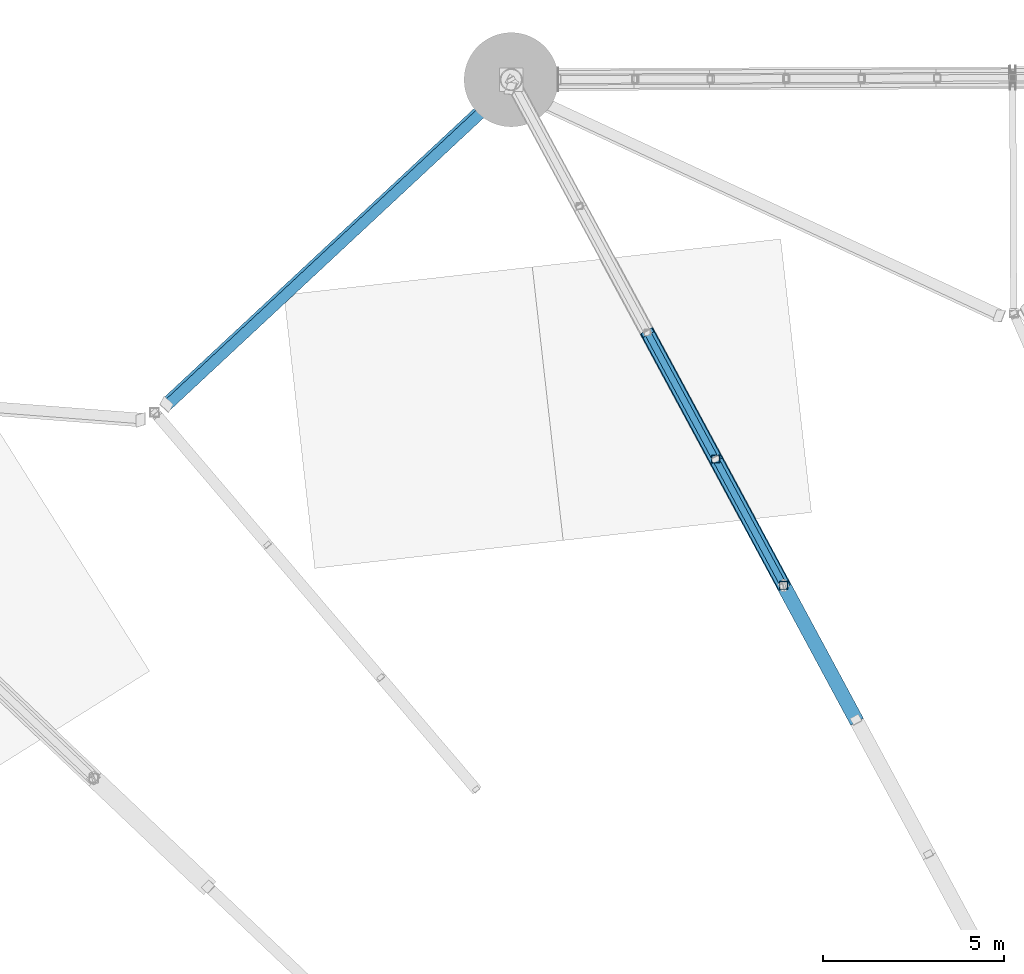
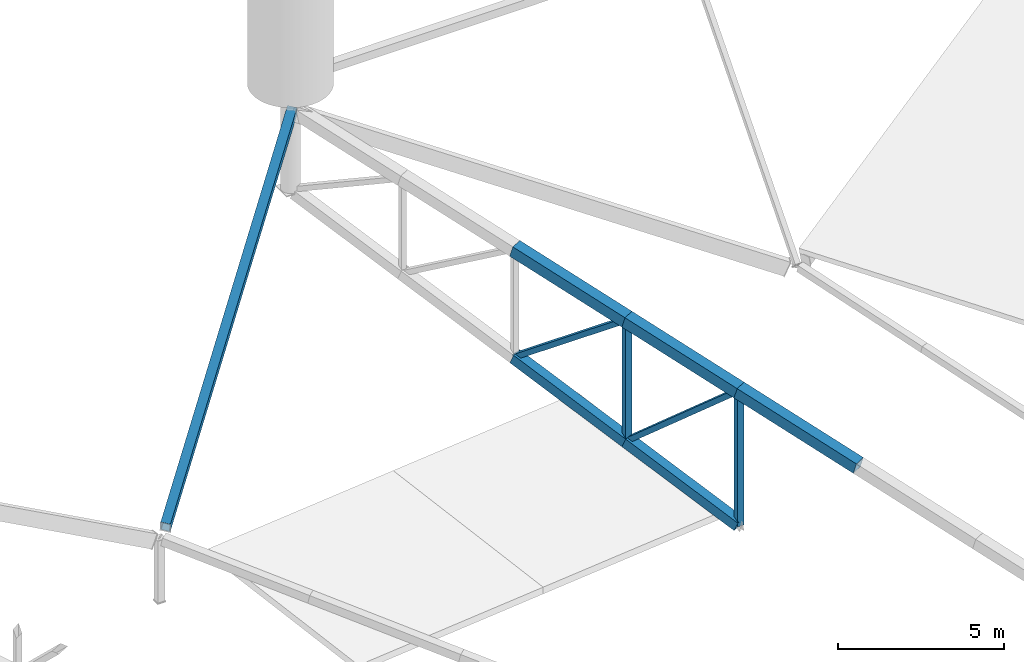
# One storey, part 77 of 188: 9 members, 1 beam.
"""IFC4 building model written with IfcOpenShell, lengths in metres."""

from ifc_helpers import new_model, si_unit, direction, frame, origin, origin_2d, place, context, subcontext, project, spatial, hollow_rectangle, extrude, material, material_profile, profile_set, type_object, element, save


model = new_model("IFC4")

# Units and contexts
model_context = context("Model", 3, precision=1e-05, world=origin(), true_north=direction((0.0, 1.0)))
body_context = subcontext(model_context, "Body", "Model", "MODEL_VIEW")
ifc_project = project(units=[si_unit("LENGTHUNIT", "METRE"), si_unit("AREAUNIT", "SQUARE_METRE"), si_unit("VOLUMEUNIT", "CUBIC_METRE"), si_unit("PLANEANGLEUNIT", "RADIAN"), si_unit("MASSUNIT", "GRAM", prefix="KILO")], contexts=[model_context])

# Site, building, storey
site_placement = place(None, origin())
site = spatial("IfcSite", under=ifc_project, at=site_placement, CompositionType="ELEMENT")
building_placement = place(site_placement, origin())
building = spatial("IfcBuilding", under=site, at=building_placement, Name="Meseta Stadium", CompositionType="ELEMENT")
storey_placement = place(building_placement, frame((0.0, 0.0, 30.0)))
storey = spatial("IfcBuildingStorey", under=building, at=storey_placement, Name="ROOF", CompositionType="ELEMENT", Elevation=30.0)

# Beam
ifc_material_1 = material(Name="Steel S355", Category="steel")
ifc_material_profile_1 = material_profile(ifc_material_1, hollow_rectangle(XDim=0.300048828125, YDim=0.5, WallThickness=0.01611328125, at=origin_2d()), Name="RHS 500x300x16")
ifc_profile_set_1 = profile_set([ifc_material_profile_1], Name="Steel S355")
beam_type = type_object("IfcBeamType", Name="RHS 500x300x16 rim ring beam", PredefinedType="BEAM", material=ifc_profile_set_1)
beam_placement = place(storey_placement, frame((-52.188720703125, 104.97216796875, 10.34375), z_axis=(-0.652982768827, -0.608563879479, -0.450847544308), x_axis=(0.722747706736, -0.678629325219, -0.130759287854)))
element("IfcBeam", 1, at=beam_placement, inside=storey, type_object=beam_type, Name="RIM RING BEAM 23", PredefinedType="BEAM", context=body_context, shape_type="SweptSolid", body=[
    extrude(hollow_rectangle(XDim=0.300048828125, YDim=0.5, WallThickness=0.01611328125, at=origin_2d()), origin(), (0.0, 0.0, 1.0), 14.5927734375),
])

# Members
ifc_material_2 = material(Name="Steel S355", Category="steel")
ifc_material_profile_2 = material_profile(ifc_material_2, hollow_rectangle(XDim=0.179931640625, YDim=0.179931640625, WallThickness=0.00634765625, at=origin_2d()), Name="SHS 180x180x6.3")
ifc_profile_set_2 = profile_set([ifc_material_profile_2], Name="Steel S355")
member_type_1 = type_object("IfcMemberType", Name="SHS 180x180x6.3 diagonal", PredefinedType="BRACE", material=ifc_profile_set_2)
member_1_placement = place(storey_placement, frame((-44.6826171875, 91.0908203125, 5.85986328125), z_axis=(-0.364595908123, 0.676917286042, -0.639415992635), x_axis=(-0.880415724134, -0.4742026494, 0.0)))
element("IfcMember", 2, at=member_1_placement, inside=storey, type_object=member_type_1, Name="ROOF TRUSS RT-22 diagonal", PredefinedType="BRACE", context=body_context, shape_type="SweptSolid", body=[
    extrude(hollow_rectangle(XDim=0.179931640625, YDim=0.179931640625, WallThickness=0.00634765625, at=origin_2d()), origin(), (0.0, 0.0, 1.0), 5.156005859375),
])
member_2_placement = place(storey_placement, frame((-46.5625, 94.5810546875, 7.003173828125), z_axis=(-0.386607596949, 0.717691495389, -0.579183462668), x_axis=(-0.880390012232, -0.474250383618, 0.0)))
element("IfcMember", 3, at=member_2_placement, inside=storey, type_object=member_type_1, Name="ROOF TRUSS RT-22 diagonal", PredefinedType="BRACE", context=body_context, shape_type="SweptSolid", body=[
    extrude(hollow_rectangle(XDim=0.179931640625, YDim=0.179931640625, WallThickness=0.00634765625, at=origin_2d()), origin(), (0.0, 0.0, 1.0), 4.863037109375),
])
ifc_material_3 = material(Name="Steel S355", Category="steel")
ifc_material_profile_3 = material_profile(ifc_material_3, hollow_rectangle(XDim=0.219970703125, YDim=0.219970703125, WallThickness=0.008056640625, at=origin_2d()), Name="SHS 220x220x8")
ifc_profile_set_3 = profile_set([ifc_material_profile_3], Name="Steel S355")
member_type_2 = type_object("IfcMemberType", Name="SHS 220x220x8 post", PredefinedType="POST", material=ifc_profile_set_3)
member_3_placement = place(storey_placement, frame((-44.6826171875, 91.0908203125, 0.939453125), z_axis=(0.0, 0.0, 1.0), x_axis=(1.0, 0.0, 0.0)))
element("IfcMember", 4, at=member_3_placement, inside=storey, type_object=member_type_2, Name="ROOF TRUSS RT-22 post", PredefinedType="POST", context=body_context, shape_type="SweptSolid", body=[
    extrude(hollow_rectangle(XDim=0.219970703125, YDim=0.219970703125, WallThickness=0.008056640625, at=origin_2d()), origin(), (0.0, 0.0, 1.0), 4.92041015625),
])
member_4_placement = place(storey_placement, frame((-46.5625, 94.5810546875, 2.56298828125), z_axis=(0.0, 0.0, 1.0), x_axis=(1.0, 0.0, 0.0)))
element("IfcMember", 5, at=member_4_placement, inside=storey, type_object=member_type_2, Name="ROOF TRUSS RT-22 post", PredefinedType="POST", context=body_context, shape_type="SweptSolid", body=[
    extrude(hollow_rectangle(XDim=0.219970703125, YDim=0.219970703125, WallThickness=0.008056640625, at=origin_2d()), origin(), (0.0, 0.0, 1.0), 4.440185546875),
])
ifc_material_4 = material(Name="Steel S355", Category="steel")
ifc_material_profile_4 = material_profile(ifc_material_4, hollow_rectangle(XDim=0.35009765625, YDim=0.35009765625, WallThickness=0.010009765625, at=origin_2d()), Name="SHS 350x350x10")
ifc_profile_set_4 = profile_set([ifc_material_profile_4], Name="Steel S355")
member_type_3 = type_object("IfcMemberType", Name="SHS 350x350x10 bottom chord", PredefinedType="CHORD", material=ifc_profile_set_4)
for number, where, z_axis, x_axis, name in (
    (6, (-44.6826171875, 91.0908203125, 0.939453125), (-0.438827930869, 0.814738194767, 0.378987758478), (-0.880415724134, -0.4742026494, 0.0), "ROOF TRUSS RT-22 bottom chord"),
    (7, (-46.5625, 94.5810546875, 2.56298828125), (-0.438873945099, 0.814717818352, 0.378978280081), (-0.880390012232, -0.474250383618, 0.0), "ROOF TRUSS RT-22 bottom chord"),
):
    element("IfcMember", number, at=place(storey_placement, frame(where, z_axis=z_axis, x_axis=x_axis)), inside=storey, type_object=member_type_3, Name=name, PredefinedType="CHORD", context=body_context, shape_type="SweptSolid", body=[
        extrude(hollow_rectangle(XDim=0.35009765625, YDim=0.35009765625, WallThickness=0.010009765625, at=origin_2d()), origin(), (0.0, 0.0, 1.0), 4.283935546875),
    ])
ifc_material_5 = material(Name="Steel S355", Category="steel")
ifc_material_profile_5 = material_profile(ifc_material_5, hollow_rectangle(XDim=0.39990234375, YDim=0.39990234375, WallThickness=0.010009765625, at=origin_2d()), Name="SHS 400x400x10")
ifc_profile_set_5 = profile_set([ifc_material_profile_5], Name="Steel S355")
member_type_4 = type_object("IfcMemberType", Name="SHS 400x400x10 top chord", PredefinedType="CHORD", material=ifc_profile_set_5)
member_5_placement = place(storey_placement, frame((-46.5625, 94.5810546875, 7.003173828125), z_axis=(-0.45567179988, 0.845901058446, 0.277154487812), x_axis=(-0.880390012232, -0.474250383618, 0.0)))
element("IfcMember", 8, at=member_5_placement, inside=storey, type_object=member_type_4, Name="ROOF TRUSS RT-22 top chord", PredefinedType="CHORD", context=body_context, shape_type="SweptSolid", body=[
    extrude(hollow_rectangle(XDim=0.39990234375, YDim=0.39990234375, WallThickness=0.010009765625, at=origin_2d()), origin(), (0.0, 0.0, 1.0), 4.1259765625),
])
ifc_material_6 = material(Name="Steel S355", Category="steel")
ifc_material_profile_6 = material_profile(ifc_material_6, hollow_rectangle(XDim=0.39990234375, YDim=0.39990234375, WallThickness=0.01416015625, at=origin_2d()), Name="SHS 400x400x14.2")
ifc_profile_set_6 = profile_set([ifc_material_profile_6], Name="Steel S355")
member_type_5 = type_object("IfcMemberType", Name="SHS 400x400x14.2 top chord", PredefinedType="CHORD", material=ifc_profile_set_6)
member_6_placement = place(storey_placement, frame((-42.682373046875, 87.3779296875, 4.643310546875), z_axis=(-0.455702289582, 0.845883122172, 0.277159100328), x_axis=(-0.880372563769, -0.474282773209, 0.0)))
element("IfcMember", 9, at=member_6_placement, inside=storey, type_object=member_type_5, Name="ROOF TRUSS RT-22 top chord", PredefinedType="CHORD", context=body_context, shape_type="SweptSolid", body=[
    extrude(hollow_rectangle(XDim=0.39990234375, YDim=0.39990234375, WallThickness=0.01416015625, at=origin_2d()), origin(), (0.0, 0.0, 1.0), 4.389404296875),
])
member_7_placement = place(storey_placement, frame((-44.6826171875, 91.0908203125, 5.85986328125), z_axis=(-0.455632385226, 0.845937737558, 0.277107332469), x_axis=(-0.880415724134, -0.4742026494, 0.0)))
element("IfcMember", 10, at=member_7_placement, inside=storey, type_object=member_type_5, Name="ROOF TRUSS RT-22 top chord", PredefinedType="CHORD", context=body_context, shape_type="SweptSolid", body=[
    extrude(hollow_rectangle(XDim=0.39990234375, YDim=0.39990234375, WallThickness=0.01416015625, at=origin_2d()), origin(), (0.0, 0.0, 1.0), 4.1259765625),
])

save(model, "model.ifc")
